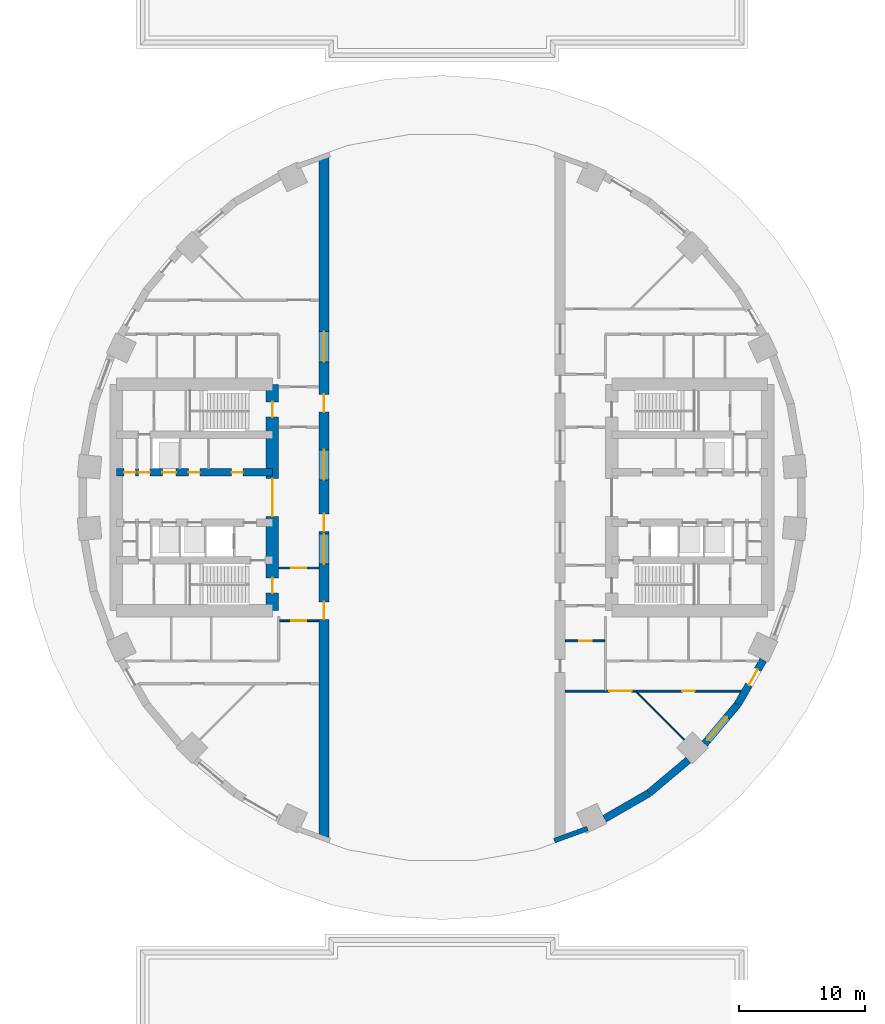
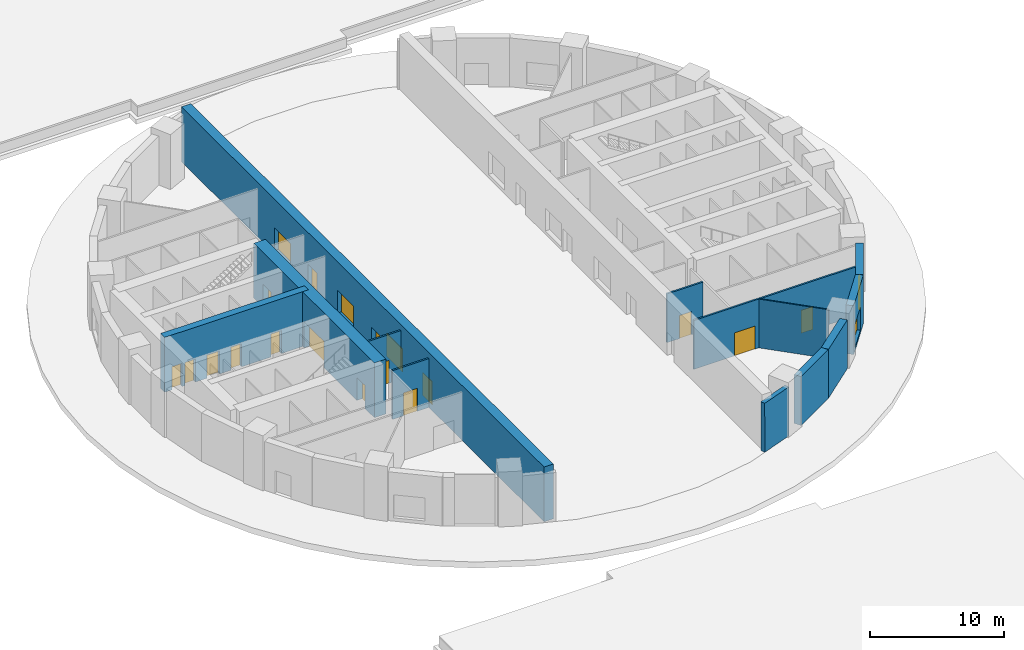
# One storey, part 3 of 10: 17 doors, 13 walls, 4 windows, 21 openings.
"""IFC4 building model written with IfcOpenShell, lengths in metres."""

from ifc_helpers import new_model, si_unit, direction, frame, frame_2d, origin, place, context, subcontext, project, spatial, polyline, rectangle, outline, extrude, material, layer, layer_set, type_object, element, fill, save


model = new_model("IFC4")

# Units and contexts
model_context = context("Model", 3, precision=1e-05, world=origin(), true_north=direction((0.0, 1.0)))
body_context = subcontext(model_context, "Body", "Model", "MODEL_VIEW")
ifc_project = project(units=[si_unit("LENGTHUNIT", "METRE"), si_unit("AREAUNIT", "SQUARE_METRE"), si_unit("VOLUMEUNIT", "CUBIC_METRE"), si_unit("PLANEANGLEUNIT", "RADIAN"), si_unit("MASSUNIT", "GRAM", prefix="KILO")], contexts=[model_context])

# Site, building, storey
site_placement = place(None, origin())
site = spatial("IfcSite", under=ifc_project, at=site_placement, CompositionType="ELEMENT")
building_placement = place(site_placement, origin())
building = spatial("IfcBuilding", under=site, at=building_placement, Name="Saqina Gate Tower", CompositionType="ELEMENT")
storey_placement = place(building_placement, origin())
storey = spatial("IfcBuildingStorey", under=building, at=storey_placement, Name="L00", CompositionType="ELEMENT", Elevation=0.0)

# Walls
ifc_material_1 = material(Name="Glazed ceramic tile", Category="ceramic")
ifc_layer_1 = layer(ifc_material_1, 0.3798828125)
ifc_layer_set_1 = layer_set([ifc_layer_1], Name="FW-ARCH")
wall_type_1 = type_object("IfcWallType", Name="FW-ARCH", PredefinedType="SOLIDWALL", material=ifc_layer_set_1)
wall_1_placement = place(storey_placement, frame((11.640625, -26.5068359375, 0.0), z_axis=(0.342042318612, -0.939682427765, 0.001996804339), x_axis=(-0.939684301135, -0.342043000515, 0.0)))
element("IfcWall", 1, at=wall_1_placement, inside=storey, type_object=wall_type_1, Name="Arch frame wall L00 facet 29", PredefinedType="SOLIDWALL", context=body_context, shape_type="SweptSolid", body=[
    extrude(outline(polyline([(0.0, 0.0), (2.8101193100826816, 2.168404344971009e-19), (2.8102624824208777, -4.449960043385524), (0.0001431723381958646, -4.449960043385524), (0.0, 0.0)])), origin(), (0.0, 0.0, -1.0), 0.3798828125),
])
ifc_material_2 = material(Name="Brick masonry (red)", Category="masonry")
ifc_layer_2 = layer(ifc_material_2, 0.60009765625)
ifc_layer_set_2 = layer_set([ifc_layer_2], Name="FW-BRICK-RED")
wall_type_2 = type_object("IfcWallType", Name="FW-BRICK-RED", PredefinedType="SOLIDWALL", material=ifc_layer_set_2)
wall_2_placement = place(storey_placement, frame((12.933837890625, -25.545166015625, 0.0), z_axis=(0.0, 0.0, 1.0), x_axis=(0.866011732453, 0.500023678693, 0.0)))
element("IfcWall", 2, at=wall_2_placement, inside=storey, type_object=wall_type_2, Name="Facade wall L00 facet 30", PredefinedType="SOLIDWALL", context=body_context, shape_type="SweptSolid", body=[
    extrude(rectangle(XDim=4.069091796875, YDim=0.60009765625, at=frame_2d((2.03466796875, 0.0))), origin(), (0.0, 0.0, 1.0), 4.449951171875),
])
wall_3_placement = place(storey_placement, frame((16.4638671875, -23.50634765625, 0.0), z_axis=(0.0, 0.0, 1.0), x_axis=(0.766033337734, 0.642800844336, 0.0)))
element("IfcWall", 3, at=wall_3_placement, inside=storey, type_object=wall_type_2, Name="Facade wall L00 facet 31", PredefinedType="SOLIDWALL", context=body_context, shape_type="SweptSolid", body=[
    extrude(rectangle(XDim=4.0693359375, YDim=0.60009765625, at=frame_2d((2.03466796875, 0.0))), origin(), (0.0, 0.0, 1.0), 4.449951171875),
])

# Wall, opening, window
wall_4_placement = place(storey_placement, frame((20.890625, -19.5810546875, 0.0), z_axis=(0.0, 0.0, 1.0), x_axis=(0.642800844336, 0.766033337734, 0.0)))
wall_4 = element("IfcWall", 4, at=wall_4_placement, inside=storey, type_object=wall_type_2, Name="Facade wall L00 facet 32", PredefinedType="SOLIDWALL", context=body_context, shape_type="SweptSolid", body=[
    extrude(rectangle(XDim=4.0693359375, YDim=0.60009765625, at=frame_2d((2.03466796875, 0.0))), origin(), (0.0, 0.0, 1.0), 4.449951171875),
])
opening_1_placement = place(wall_4_placement, frame((0.37158203125, 0.0, 0.300048828125)))
opening_1 = element("IfcOpeningElement", 5, at=opening_1_placement, cuts=wall_4, Name="Opening L00-W57", PredefinedType="OPENING", context=body_context, shape_type="SweptSolid", body=[
    extrude(rectangle(XDim=2.39990234375, YDim=2.10009765625, at=frame_2d((1.199951171875, 1.050048828125))), frame((0.0, 0.31201171875, 0.0), z_axis=(0.0, -1.0, 0.0), x_axis=(1.0, 0.0, 0.0)), (0.0, 0.0, 1.0), 0.6240234375),
])
ifc_material_3 = material(Name="Double glazed unit in aluminium frame", Category="aluminium")
window_type = type_object("IfcWindowType", Name="SHOPFRONT WINDOW 2400", PartitioningType="SINGLE_PANEL", PredefinedType="WINDOW", material=ifc_material_3)
window_1_placement = place(opening_1_placement, origin())
window_1 = element("IfcWindow", 6, at=window_1_placement, inside=storey, type_object=window_type, Name="Shopfront window", OverallHeight=2.10009765625, OverallWidth=2.39990234375, PartitioningType="SINGLE_PANEL", PredefinedType="WINDOW", context=body_context, shape_type="SweptSolid", body=[
    extrude(rectangle(XDim=2.39990234375, YDim=2.10009765625, at=frame_2d((1.199951171875, 1.050048828125))), frame((0.0, 0.030029296875, 0.0), z_axis=(0.0, -1.0, 0.0), x_axis=(1.0, 0.0, 0.0)), (0.0, 0.0, 1.0), 0.06005859375),
])
fill(opening_1, window_1)

# Wall, opening, door
wall_5_placement = place(storey_placement, frame((23.510498046875, -16.457763671875, 0.0), z_axis=(0.0, 0.0, 1.0), x_axis=(0.500023678693, 0.866011732453, 0.0)))
wall_5 = element("IfcWall", 7, at=wall_5_placement, inside=storey, type_object=wall_type_2, Name="Facade wall L00 facet 33", PredefinedType="SOLIDWALL", context=body_context, shape_type="SweptSolid", body=[
    extrude(rectangle(XDim=4.069091796875, YDim=0.60009765625, at=frame_2d((2.03466796875, 0.0))), origin(), (0.0, 0.0, 1.0), 4.449951171875),
])
opening_2_placement = place(wall_5_placement, frame((1.797607421875, 0.0, 0.0)))
opening_2 = element("IfcOpeningElement", 8, at=opening_2_placement, cuts=wall_5, Name="Opening L00-D41", PredefinedType="OPENING", context=body_context, shape_type="SweptSolid", body=[
    extrude(rectangle(XDim=1.39990234375, YDim=2.10009765625, at=frame_2d((0.699951171875, 1.050048828125))), frame((0.0, 0.31201171875, 0.0), z_axis=(0.0, -1.0, 0.0), x_axis=(1.0, 0.0, 0.0)), (0.0, 0.0, 1.0), 0.6240234375),
])
ifc_material_4 = material(Name="Steel door leaf with glazed vision panel", Category="steel")
door_type_1 = type_object("IfcDoorType", Name="EXIT DOOR 1400 STEEL", OperationType="SINGLE_SWING_LEFT", PredefinedType="DOOR", material=ifc_material_4)
door_1_placement = place(opening_2_placement, frame((1.39990234375, 0.0, 0.0), z_axis=(0.0, 0.0, 1.0), x_axis=(-1.0, 0.0, 0.0)))
door_1 = element("IfcDoor", 9, at=door_1_placement, inside=storey, type_object=door_type_1, Name="Pedestrian exit 8", OperationType="SINGLE_SWING_LEFT", OverallHeight=2.10009765625, OverallWidth=1.39990234375, PredefinedType="DOOR", context=body_context, shape_type="SweptSolid", body=[
    extrude(rectangle(XDim=1.39990234375, YDim=2.10009765625, at=frame_2d((0.699951171875, 1.050048828125))), frame((0.0, 0.02490234375, 0.0), z_axis=(0.0, -1.0, 0.0), x_axis=(1.0, 0.0, 0.0)), (0.0, 0.0, 1.0), 0.050048828125),
])
fill(opening_2, door_1)

# Wall
ifc_material_5 = material(Name="Gypsum board on steel studs, 100 mm", Category="steel")
ifc_layer_3 = layer(ifc_material_5, 0.10009765625)
ifc_layer_set_3 = layer_set([ifc_layer_3], Name="SPECIAL PARTITION 100")
wall_type_3 = type_object("IfcWallType", Name="SPECIAL PARTITION 100", PredefinedType="PARTITIONING", material=ifc_layer_set_3)
wall_6_placement = place(storey_placement, frame((15.452880859375, -15.452880859375, 0.0), z_axis=(0.0, 0.0, 1.0), x_axis=(0.707220086868, -0.706993457346, 0.0)))
element("IfcWall", 10, at=wall_6_placement, inside=storey, type_object=wall_type_3, Name="PARTITION 002", PredefinedType="PARTITIONING", context=body_context, shape_type="SweptSolid", body=[
    extrude(rectangle(XDim=5.38623046875, YDim=0.10009765625, at=frame_2d((2.693115234375, 0.0))), origin(), (0.0, 0.0, 1.0), 4.449951171875),
])

# Wall, opening, door
ifc_material_6 = material(Name="Gypsum board on steel studs, 150 mm, fire rated", Category="steel")
ifc_layer_4 = layer(ifc_material_6, 0.14990234375)
ifc_layer_set_4 = layer_set([ifc_layer_4], Name="SPECIAL PARTITION EI 30 150")
wall_type_4 = type_object("IfcWallType", Name="SPECIAL PARTITION EI 30 150", PredefinedType="PARTITIONING", material=ifc_layer_set_4)
wall_7_placement = place(storey_placement, frame((-12.925048828125, -9.800048828125, 0.0), z_axis=(0.0, 0.0, 1.0), x_axis=(1.0, 0.0, 0.0)))
wall_7 = element("IfcWall", 11, at=wall_7_placement, inside=storey, type_object=wall_type_4, Name="PARTITION 008", PredefinedType="PARTITIONING", context=body_context, shape_type="SweptSolid", body=[
    extrude(rectangle(XDim=3.125, YDim=0.14990234375, at=frame_2d((1.5625, 0.0))), origin(), (0.0, 0.0, 1.0), 4.449951171875),
])
opening_3_placement = place(wall_7_placement, frame((0.925048828125, 0.0, 0.0)))
opening_3 = element("IfcOpeningElement", 12, at=opening_3_placement, cuts=wall_7, Name="Opening L00-D22", PredefinedType="OPENING", context=body_context, shape_type="SweptSolid", body=[
    extrude(rectangle(XDim=1.199951171875, YDim=2.10009765625, at=frame_2d((0.60009765625, 1.050048828125))), frame((0.0, 0.0869140625, 0.0), z_axis=(0.0, -1.0, 0.0), x_axis=(1.0, 0.0, 0.0)), (0.0, 0.0, 1.0), 0.173828125),
])
ifc_material_7 = material(Name="Steel-framed fire door leaf, EI 30", Category="steel")
door_type_2 = type_object("IfcDoorType", Name="SPECIAL DOOR 1200 FIRE EI 30", OperationType="SINGLE_SWING_LEFT", PredefinedType="DOOR", material=ifc_material_7)
door_2_placement = place(opening_3_placement, frame((1.199951171875, 0.0, 0.0), z_axis=(0.0, 0.0, 1.0), x_axis=(-1.0, 0.0, 0.0)))
door_2 = element("IfcDoor", 13, at=door_2_placement, inside=storey, type_object=door_type_2, Name="DOOR L00-D22", OperationType="SINGLE_SWING_RIGHT", OverallHeight=2.10009765625, OverallWidth=1.199951171875, PredefinedType="DOOR", context=body_context, shape_type="SweptSolid", body=[
    extrude(rectangle(XDim=1.199951171875, YDim=2.10009765625, at=frame_2d((0.60009765625, 1.050048828125))), frame((0.0, 0.02490234375, 0.0), z_axis=(0.0, -1.0, 0.0), x_axis=(1.0, 0.0, 0.0)), (0.0, 0.0, 1.0), 0.050048828125),
])
fill(opening_3, door_2)

wall_8_placement = place(storey_placement, frame((-13.0, -5.60009765625, 0.0), z_axis=(0.0, 0.0, 1.0), x_axis=(1.0, 0.0, 0.0)))
wall_8 = element("IfcWall", 14, at=wall_8_placement, inside=storey, type_object=wall_type_4, Name="PARTITION 010", PredefinedType="PARTITIONING", context=body_context, shape_type="SweptSolid", body=[
    extrude(rectangle(XDim=3.199951171875, YDim=0.14990234375, at=frame_2d((1.60009765625, 0.0))), origin(), (0.0, 0.0, 1.0), 4.449951171875),
])
opening_4_placement = place(wall_8_placement, frame((1.0, 0.0, 0.0)))
opening_4 = element("IfcOpeningElement", 15, at=opening_4_placement, cuts=wall_8, Name="Opening L00-D17", PredefinedType="OPENING", context=body_context, shape_type="SweptSolid", body=[
    extrude(rectangle(XDim=1.199951171875, YDim=2.10009765625, at=frame_2d((0.60009765625, 1.050048828125))), frame((0.0, 0.0869140625, 0.0), z_axis=(0.0, -1.0, 0.0), x_axis=(1.0, 0.0, 0.0)), (0.0, 0.0, 1.0), 0.173828125),
])
door_3_placement = place(opening_4_placement, origin())
door_3 = element("IfcDoor", 16, at=door_3_placement, inside=storey, type_object=door_type_2, Name="DOOR L00-D17", OperationType="SINGLE_SWING_RIGHT", OverallHeight=2.10009765625, OverallWidth=1.199951171875, PredefinedType="DOOR", context=body_context, shape_type="SweptSolid", body=[
    extrude(rectangle(XDim=1.199951171875, YDim=2.10009765625, at=frame_2d((0.60009765625, 1.050048828125))), frame((0.0, 0.02490234375, 0.0), z_axis=(0.0, -1.0, 0.0), x_axis=(1.0, 0.0, 0.0)), (0.0, 0.0, 1.0), 0.050048828125),
])
fill(opening_4, door_3)

# Wall, openings, doors
ifc_material_8 = material(Name="Masonry block and plaster, 150 mm, fire rated", Category="masonry")
ifc_layer_5 = layer(ifc_material_8, 0.14990234375)
ifc_layer_set_5 = layer_set([ifc_layer_5], Name="SPECIAL PARTITION EI 60 150")
wall_type_5 = type_object("IfcWallType", Name="SPECIAL PARTITION EI 60 150", PredefinedType="PARTITIONING", material=ifc_layer_set_5)
wall_9_placement = place(storey_placement, frame((9.800048828125, -15.39990234375, 0.0), z_axis=(0.0, 0.0, 1.0), x_axis=(1.0, 0.0, 0.0)))
wall_9 = element("IfcWall", 17, at=wall_9_placement, inside=storey, type_object=wall_type_5, Name="PARTITION 003", PredefinedType="PARTITIONING", context=body_context, shape_type="SweptSolid", body=[
    extrude(rectangle(XDim=13.974853515625, YDim=0.14990234375, at=frame_2d((6.9873046875, 0.0))), origin(), (0.0, 0.0, 1.0), 4.449951171875),
])
opening_5_placement = place(wall_9_placement, frame((3.498046875, 0.0, 0.0)))
opening_5 = element("IfcOpeningElement", 18, at=opening_5_placement, cuts=wall_9, Name="Opening L00-D24", PredefinedType="OPENING", context=body_context, shape_type="SweptSolid", body=[
    extrude(rectangle(XDim=1.800048828125, YDim=2.10009765625, at=frame_2d((0.89990234375, 1.050048828125))), frame((0.0, 0.0869140625, 0.0), z_axis=(0.0, -1.0, 0.0), x_axis=(1.0, 0.0, 0.0)), (0.0, 0.0, 1.0), 0.173828125),
])
opening_6_placement = place(wall_9_placement, frame((9.28857421875, 0.0, 0.0)))
opening_6 = element("IfcOpeningElement", 19, at=opening_6_placement, cuts=wall_9, Name="Opening L00-D27", PredefinedType="OPENING", context=body_context, shape_type="SweptSolid", body=[
    extrude(rectangle(XDim=1.0, YDim=2.10009765625, at=frame_2d((0.5, 1.050048828125))), frame((0.0, 0.0869140625, 0.0), z_axis=(0.0, -1.0, 0.0), x_axis=(1.0, 0.0, 0.0)), (0.0, 0.0, 1.0), 0.173828125),
])
ifc_material_9 = material(Name="Steel-framed fire door leaf, EI 60", Category="steel")
door_type_3 = type_object("IfcDoorType", Name="SPECIAL DOOR 1000 FIRE EI 60", OperationType="SINGLE_SWING_LEFT", PredefinedType="DOOR", material=ifc_material_9)
door_4_placement = place(opening_6_placement, frame((1.0, 0.0, 0.0), z_axis=(0.0, 0.0, 1.0), x_axis=(-1.0, 0.0, 0.0)))
door_4 = element("IfcDoor", 20, at=door_4_placement, inside=storey, type_object=door_type_3, Name="DOOR L00-D27", OperationType="SINGLE_SWING_LEFT", OverallHeight=2.10009765625, OverallWidth=1.0, PredefinedType="DOOR", context=body_context, shape_type="SweptSolid", body=[
    extrude(rectangle(XDim=1.0, YDim=2.10009765625, at=frame_2d((0.5, 1.050048828125))), frame((0.0, 0.02490234375, 0.0), z_axis=(0.0, -1.0, 0.0), x_axis=(1.0, 0.0, 0.0)), (0.0, 0.0, 1.0), 0.050048828125),
])
fill(opening_6, door_4)
ifc_material_10 = material(Name="Steel-framed fire door leaf, EI 60", Category="steel")
door_type_4 = type_object("IfcDoorType", Name="SPECIAL DOUBLE DOOR 1800 FIRE EI 60", OperationType="DOUBLE_DOOR_SINGLE_SWING", PredefinedType="DOOR", material=ifc_material_10)
door_5_placement = place(opening_5_placement, origin())
door_5 = element("IfcDoor", 21, at=door_5_placement, inside=storey, type_object=door_type_4, Name="DOOR L00-D24", OperationType="DOUBLE_DOOR_SINGLE_SWING", OverallHeight=2.10009765625, OverallWidth=1.800048828125, PredefinedType="DOOR", context=body_context, shape_type="SweptSolid", body=[
    extrude(rectangle(XDim=1.800048828125, YDim=2.10009765625, at=frame_2d((0.89990234375, 1.050048828125))), frame((0.0, 0.02490234375, 0.0), z_axis=(0.0, -1.0, 0.0), x_axis=(1.0, 0.0, 0.0)), (0.0, 0.0, 1.0), 0.050048828125),
])
fill(opening_5, door_5)

# Wall, opening, door
wall_10_placement = place(storey_placement, frame((9.800048828125, -11.39990234375, 0.0), z_axis=(0.0, 0.0, 1.0), x_axis=(1.0, 0.0, 0.0)))
wall_10 = element("IfcWall", 22, at=wall_10_placement, inside=storey, type_object=wall_type_5, Name="PARTITION 007", PredefinedType="PARTITIONING", context=body_context, shape_type="SweptSolid", body=[
    extrude(rectangle(XDim=3.125, YDim=0.14990234375, at=frame_2d((1.5625, 0.0))), origin(), (0.0, 0.0, 1.0), 4.449951171875),
])
opening_7_placement = place(wall_10_placement, frame((1.10009765625, 0.0, 0.0)))
opening_7 = element("IfcOpeningElement", 23, at=opening_7_placement, cuts=wall_10, Name="Opening L00-D25", PredefinedType="OPENING", context=body_context, shape_type="SweptSolid", body=[
    extrude(rectangle(XDim=1.0, YDim=2.10009765625, at=frame_2d((0.5, 1.050048828125))), frame((0.0, 0.0869140625, 0.0), z_axis=(0.0, -1.0, 0.0), x_axis=(1.0, 0.0, 0.0)), (0.0, 0.0, 1.0), 0.173828125),
])
door_6_placement = place(opening_7_placement, frame((1.0, 0.0, 0.0), z_axis=(0.0, 0.0, 1.0), x_axis=(-1.0, 0.0, 0.0)))
door_6 = element("IfcDoor", 24, at=door_6_placement, inside=storey, type_object=door_type_3, Name="DOOR L00-D25", OperationType="SINGLE_SWING_LEFT", OverallHeight=2.10009765625, OverallWidth=1.0, PredefinedType="DOOR", context=body_context, shape_type="SweptSolid", body=[
    extrude(rectangle(XDim=1.0, YDim=2.10009765625, at=frame_2d((0.5, 1.050048828125))), frame((0.0, 0.02490234375, 0.0), z_axis=(0.0, -1.0, 0.0), x_axis=(1.0, 0.0, 0.0)), (0.0, 0.0, 1.0), 0.050048828125),
])
fill(opening_7, door_6)

# Wall, openings, doors
ifc_material_11 = material(Name="Concrete C70/85", Category="concrete")
ifc_layer_6 = layer(ifc_material_11, 0.60009765625)
ifc_layer_set_6 = layer_set([ifc_layer_6], Name="Concrete C70/85")
wall_type_6 = type_object("IfcWallType", Name="STR-CORE WALL-P-I", PredefinedType="SHEAR", material=ifc_layer_set_6)
wall_11_placement = place(storey_placement, frame((-13.5, 2.0, 0.0), z_axis=(0.0, 0.0, 1.0), x_axis=(-1.0, 0.0, 0.0)))
wall_11 = element("IfcWall", 25, at=wall_11_placement, inside=storey, type_object=wall_type_6, Name="CORE WALL L00 W-L1", PredefinedType="SHEAR", context=body_context, shape_type="SweptSolid", body=[
    extrude(rectangle(XDim=12.39990234375, YDim=0.60009765625, at=frame_2d((6.199951171875, 0.0))), origin(), (0.0, 0.0, 1.0), 5.0),
])
opening_8_placement = place(wall_11_placement, frame((7.64990234375, 0.0, 0.0)))
opening_8 = element("IfcOpeningElement", 26, at=opening_8_placement, cuts=wall_11, Name="Opening L00-LD5", PredefinedType="OPENING", context=body_context, shape_type="SweptSolid", body=[
    extrude(rectangle(XDim=1.10009765625, YDim=2.10009765625, at=frame_2d((0.550048828125, 1.050048828125))), frame((0.0, 0.31201171875, 0.0), z_axis=(0.0, -1.0, 0.0), x_axis=(1.0, 0.0, 0.0)), (0.0, 0.0, 1.0), 0.6240234375),
])
opening_9_placement = place(wall_11_placement, frame((2.34130859375, 0.0, 0.0)))
opening_9 = element("IfcOpeningElement", 27, at=opening_9_placement, cuts=wall_11, Name="Opening L00-D106", PredefinedType="OPENING", context=body_context, shape_type="SweptSolid", body=[
    extrude(rectangle(XDim=0.89990234375, YDim=2.10009765625, at=frame_2d((0.449951171875, 1.050048828125))), frame((0.0, 0.31201171875, 0.0), z_axis=(0.0, -1.0, 0.0), x_axis=(1.0, 0.0, 0.0)), (0.0, 0.0, 1.0), 0.6240234375),
])
opening_10_placement = place(wall_11_placement, frame((5.761474609375, 0.0, 0.0)))
opening_10 = element("IfcOpeningElement", 28, at=opening_10_placement, cuts=wall_11, Name="Opening L00-D107", PredefinedType="OPENING", context=body_context, shape_type="SweptSolid", body=[
    extrude(rectangle(XDim=0.89990234375, YDim=2.10009765625, at=frame_2d((0.449951171875, 1.050048828125))), frame((0.0, 0.31201171875, 0.0), z_axis=(0.0, -1.0, 0.0), x_axis=(1.0, 0.0, 0.0)), (0.0, 0.0, 1.0), 0.6240234375),
])
opening_11_placement = place(wall_11_placement, frame((9.739990234375, 0.0, 0.0)))
opening_11 = element("IfcOpeningElement", 29, at=opening_11_placement, cuts=wall_11, Name="Opening L00-D108", PredefinedType="OPENING", context=body_context, shape_type="SweptSolid", body=[
    extrude(rectangle(XDim=0.89990234375, YDim=2.10009765625, at=frame_2d((0.449951171875, 1.050048828125))), frame((0.0, 0.31201171875, 0.0), z_axis=(0.0, -1.0, 0.0), x_axis=(1.0, 0.0, 0.0)), (0.0, 0.0, 1.0), 0.6240234375),
])
opening_12_placement = place(wall_11_placement, frame((10.8798828125, 0.0, 0.0)))
opening_12 = element("IfcOpeningElement", 30, at=opening_12_placement, cuts=wall_11, Name="Opening L00-D109", PredefinedType="OPENING", context=body_context, shape_type="SweptSolid", body=[
    extrude(rectangle(XDim=0.89990234375, YDim=2.10009765625, at=frame_2d((0.449951171875, 1.050048828125))), frame((0.0, 0.31201171875, 0.0), z_axis=(0.0, -1.0, 0.0), x_axis=(1.0, 0.0, 0.0)), (0.0, 0.0, 1.0), 0.6240234375),
])
ifc_material_12 = material(Name="Stainless steel", Category="steel")
door_type_5 = type_object("IfcDoorType", Name="LANDING DOOR", OperationType="DOUBLE_DOOR_SLIDING", PredefinedType="DOOR", material=ifc_material_12)
door_7_placement = place(opening_8_placement, origin())
door_7 = element("IfcDoor", 31, at=door_7_placement, inside=storey, type_object=door_type_5, Name="LANDING DOOR LR4", OperationType="DOUBLE_DOOR_SLIDING", OverallHeight=2.10009765625, OverallWidth=1.10009765625, PredefinedType="DOOR", context=body_context, shape_type="SweptSolid", body=[
    extrude(rectangle(XDim=1.10009765625, YDim=2.10009765625, at=frame_2d((0.550048828125, 1.050048828125))), frame((0.0, 0.02490234375, 0.0), z_axis=(0.0, -1.0, 0.0), x_axis=(1.0, 0.0, 0.0)), (0.0, 0.0, 1.0), 0.050048828125),
])
fill(opening_8, door_7)
ifc_material_13 = material(Name="Steel-framed fire door leaf, EI 60", Category="steel")
door_type_6 = type_object("IfcDoorType", Name="SERVICE ROOM DOOR 900", OperationType="SINGLE_SWING_LEFT", PredefinedType="DOOR", material=ifc_material_13)
door_8_placement = place(opening_9_placement, frame((0.89990234375, 0.0, 0.0), z_axis=(0.0, 0.0, 1.0), x_axis=(-1.0, 0.0, 0.0)))
door_8 = element("IfcDoor", 32, at=door_8_placement, inside=storey, type_object=door_type_6, Name="L00-CD-W17", OperationType="SINGLE_SWING_RIGHT", OverallHeight=2.10009765625, OverallWidth=0.89990234375, PredefinedType="DOOR", context=body_context, shape_type="SweptSolid", body=[
    extrude(rectangle(XDim=0.89990234375, YDim=2.10009765625, at=frame_2d((0.449951171875, 1.050048828125))), frame((0.0, 0.02490234375, 0.0), z_axis=(0.0, -1.0, 0.0), x_axis=(1.0, 0.0, 0.0)), (0.0, 0.0, 1.0), 0.050048828125),
])
fill(opening_9, door_8)
door_9_placement = place(opening_10_placement, frame((0.89990234375, 0.0, 0.0), z_axis=(0.0, 0.0, 1.0), x_axis=(-1.0, 0.0, 0.0)))
door_9 = element("IfcDoor", 33, at=door_9_placement, inside=storey, type_object=door_type_6, Name="L00-CD-W18", OperationType="SINGLE_SWING_LEFT", OverallHeight=2.10009765625, OverallWidth=0.89990234375, PredefinedType="DOOR", context=body_context, shape_type="SweptSolid", body=[
    extrude(rectangle(XDim=0.89990234375, YDim=2.10009765625, at=frame_2d((0.449951171875, 1.050048828125))), frame((0.0, 0.02490234375, 0.0), z_axis=(0.0, -1.0, 0.0), x_axis=(1.0, 0.0, 0.0)), (0.0, 0.0, 1.0), 0.050048828125),
])
fill(opening_10, door_9)
door_10_placement = place(opening_11_placement, frame((0.89990234375, 0.0, 0.0), z_axis=(0.0, 0.0, 1.0), x_axis=(-1.0, 0.0, 0.0)))
door_10 = element("IfcDoor", 34, at=door_10_placement, inside=storey, type_object=door_type_6, Name="L00-CD-W19", OperationType="SINGLE_SWING_RIGHT", OverallHeight=2.10009765625, OverallWidth=0.89990234375, PredefinedType="DOOR", context=body_context, shape_type="SweptSolid", body=[
    extrude(rectangle(XDim=0.89990234375, YDim=2.10009765625, at=frame_2d((0.449951171875, 1.050048828125))), frame((0.0, 0.02490234375, 0.0), z_axis=(0.0, -1.0, 0.0), x_axis=(1.0, 0.0, 0.0)), (0.0, 0.0, 1.0), 0.050048828125),
])
fill(opening_11, door_10)
door_11_placement = place(opening_12_placement, frame((0.89990234375, 0.0, 0.0), z_axis=(0.0, 0.0, 1.0), x_axis=(-1.0, 0.0, 0.0)))
door_11 = element("IfcDoor", 35, at=door_11_placement, inside=storey, type_object=door_type_6, Name="L00-CD-W20", OperationType="SINGLE_SWING_LEFT", OverallHeight=2.10009765625, OverallWidth=0.89990234375, PredefinedType="DOOR", context=body_context, shape_type="SweptSolid", body=[
    extrude(rectangle(XDim=0.89990234375, YDim=2.10009765625, at=frame_2d((0.449951171875, 1.050048828125))), frame((0.0, 0.02490234375, 0.0), z_axis=(0.0, -1.0, 0.0), x_axis=(1.0, 0.0, 0.0)), (0.0, 0.0, 1.0), 0.050048828125),
])
fill(opening_12, door_11)

ifc_material_14 = material(Name="Concrete C70/85", Category="concrete")
ifc_layer_7 = layer(ifc_material_14, 1.0)
ifc_layer_set_7 = layer_set([ifc_layer_7], Name="Concrete C70/85")
wall_type_7 = type_object("IfcWallType", Name="STR-CORE WALL-P-O", PredefinedType="SHEAR", material=ifc_layer_set_7)
wall_12_placement = place(storey_placement, frame((-13.5, -9.0, 0.0), z_axis=(0.0, 0.0, 1.0), x_axis=(0.0, 1.0, 0.0)))
wall_12 = element("IfcWall", 36, at=wall_12_placement, inside=storey, type_object=wall_type_7, Name="CORE WALL L00 W-W1", PredefinedType="SHEAR", context=body_context, shape_type="SweptSolid", body=[
    extrude(rectangle(XDim=18.0, YDim=1.0, at=frame_2d((9.0, 0.0))), origin(), (0.0, 0.0, 1.0), 5.0),
])
opening_13_placement = place(wall_12_placement, frame((15.39990234375, 0.0, 0.0)))
opening_13 = element("IfcOpeningElement", 37, at=opening_13_placement, cuts=wall_12, Name="Opening L00-D119", PredefinedType="OPENING", context=body_context, shape_type="SweptSolid", body=[
    extrude(rectangle(XDim=1.199951171875, YDim=2.10009765625, at=frame_2d((0.60009765625, 1.050048828125))), frame((0.0, 0.511962890625, 0.0), z_axis=(0.0, -1.0, 0.0), x_axis=(1.0, 0.0, 0.0)), (0.0, 0.0, 1.0), 1.02392578125),
])
opening_14_placement = place(wall_12_placement, frame((1.39990234375, 0.0, 0.0)))
opening_14 = element("IfcOpeningElement", 38, at=opening_14_placement, cuts=wall_12, Name="Opening L00-D120", PredefinedType="OPENING", context=body_context, shape_type="SweptSolid", body=[
    extrude(rectangle(XDim=1.199951171875, YDim=2.10009765625, at=frame_2d((0.60009765625, 1.050048828125))), frame((0.0, 0.511962890625, 0.0), z_axis=(0.0, -1.0, 0.0), x_axis=(1.0, 0.0, 0.0)), (0.0, 0.0, 1.0), 1.02392578125),
])
opening_15_placement = place(wall_12_placement, frame((7.5, 0.0, 0.0)))
opening_15 = element("IfcOpeningElement", 39, at=opening_15_placement, cuts=wall_12, Name="Opening L00-D121", PredefinedType="OPENING", context=body_context, shape_type="SweptSolid", body=[
    extrude(rectangle(XDim=3.0, YDim=2.39990234375, at=frame_2d((1.5, 1.199951171875))), frame((0.0, 0.511962890625, 0.0), z_axis=(0.0, -1.0, 0.0), x_axis=(1.0, 0.0, 0.0)), (0.0, 0.0, 1.0), 1.02392578125),
])
ifc_material_15 = material(Name="Steel", Category="steel")
door_type_7 = type_object("IfcDoorType", Name="FIRE DOOR EI 60", OperationType="SINGLE_SWING_LEFT", PredefinedType="DOOR", material=ifc_material_15)
door_12_placement = place(opening_13_placement, origin())
door_12 = element("IfcDoor", 40, at=door_12_placement, inside=storey, type_object=door_type_7, Name="L00-CD-W30", OperationType="SINGLE_SWING_RIGHT", OverallHeight=2.10009765625, OverallWidth=1.199951171875, PredefinedType="DOOR", context=body_context, shape_type="SweptSolid", body=[
    extrude(rectangle(XDim=1.199951171875, YDim=2.10009765625, at=frame_2d((0.60009765625, 1.050048828125))), frame((0.0, 0.02490234375, 0.0), z_axis=(0.0, -1.0, 0.0), x_axis=(1.0, 0.0, 0.0)), (0.0, 0.0, 1.0), 0.050048828125),
])
fill(opening_13, door_12)
door_13_placement = place(opening_14_placement, origin())
door_13 = element("IfcDoor", 41, at=door_13_placement, inside=storey, type_object=door_type_7, Name="L00-CD-W31", OperationType="SINGLE_SWING_LEFT", OverallHeight=2.10009765625, OverallWidth=1.199951171875, PredefinedType="DOOR", context=body_context, shape_type="SweptSolid", body=[
    extrude(rectangle(XDim=1.199951171875, YDim=2.10009765625, at=frame_2d((0.60009765625, 1.050048828125))), frame((0.0, 0.02490234375, 0.0), z_axis=(0.0, -1.0, 0.0), x_axis=(1.0, 0.0, 0.0)), (0.0, 0.0, 1.0), 0.050048828125),
])
fill(opening_14, door_13)
ifc_material_16 = material(Name="Steel and fire-resisting glass", Category="steel")
door_type_8 = type_object("IfcDoorType", Name="LOBBY SCREEN DOOR", OperationType="DOUBLE_DOOR_SLIDING", PredefinedType="DOOR", material=ifc_material_16)
door_14_placement = place(opening_15_placement, origin())
door_14 = element("IfcDoor", 42, at=door_14_placement, inside=storey, type_object=door_type_8, Name="L00-CD-W32", OperationType="DOUBLE_DOOR_SLIDING", OverallHeight=2.39990234375, OverallWidth=3.0, PredefinedType="DOOR", context=body_context, shape_type="SweptSolid", body=[
    extrude(rectangle(XDim=3.0, YDim=2.39990234375, at=frame_2d((1.5, 1.199951171875))), frame((0.0, 0.02490234375, 0.0), z_axis=(0.0, -1.0, 0.0), x_axis=(1.0, 0.0, 0.0)), (0.0, 0.0, 1.0), 0.050048828125),
])
fill(opening_15, door_14)

# Wall, openings, doors, windows
ifc_material_17 = material(Name="Concrete C70/85", Category="concrete")
ifc_layer_8 = layer(ifc_material_17, 0.800048828125)
ifc_layer_set_8 = layer_set([ifc_layer_8], Name="Concrete C70/85")
wall_type_8 = type_object("IfcWallType", Name="STR-PIER-PASSAGE", PredefinedType="SHEAR", material=ifc_layer_set_8)
wall_13_placement = place(storey_placement, frame((-9.39990234375, -27.076904296875, 0.0), z_axis=(0.0, 0.0, 1.0), x_axis=(0.0, 1.0, 0.0)))
wall_13 = element("IfcWall", 43, at=wall_13_placement, inside=storey, type_object=wall_type_8, Name="L00-FLKW", PredefinedType="SHEAR", context=body_context, shape_type="SweptSolid", body=[
    extrude(rectangle(XDim=54.15380859375, YDim=0.800048828125, at=frame_2d((27.076904296875, 0.0))), origin(), (0.0, 0.0, 1.0), 5.0),
])
opening_16_placement = place(wall_13_placement, frame((17.376708984375, 0.0, 0.0)))
opening_16 = element("IfcOpeningElement", 44, at=opening_16_placement, cuts=wall_13, Name="Opening L00-D36", PredefinedType="OPENING", context=body_context, shape_type="SweptSolid", body=[
    extrude(rectangle(XDim=1.39990234375, YDim=2.10009765625, at=frame_2d((0.699951171875, 1.050048828125))), frame((0.0, 0.412109375, 0.0), z_axis=(0.0, -1.0, 0.0), x_axis=(1.0, 0.0, 0.0)), (0.0, 0.0, 1.0), 0.823974609375),
])
opening_17_placement = place(wall_13_placement, frame((21.77685546875, 0.0, 0.300048828125)))
opening_17 = element("IfcOpeningElement", 45, at=opening_17_placement, cuts=wall_13, Name="Opening L00-W53", PredefinedType="OPENING", context=body_context, shape_type="SweptSolid", body=[
    extrude(rectangle(XDim=2.39990234375, YDim=2.10009765625, at=frame_2d((1.199951171875, 1.050048828125))), frame((0.0, 0.412109375, 0.0), z_axis=(0.0, -1.0, 0.0), x_axis=(1.0, 0.0, 0.0)), (0.0, 0.0, 1.0), 0.823974609375),
])
opening_18_placement = place(wall_13_placement, frame((24.376708984375, 0.0, 0.0)))
opening_18 = element("IfcOpeningElement", 46, at=opening_18_placement, cuts=wall_13, Name="Opening L00-D37", PredefinedType="OPENING", context=body_context, shape_type="SweptSolid", body=[
    extrude(rectangle(XDim=1.39990234375, YDim=2.10009765625, at=frame_2d((0.699951171875, 1.050048828125))), frame((0.0, 0.412109375, 0.0), z_axis=(0.0, -1.0, 0.0), x_axis=(1.0, 0.0, 0.0)), (0.0, 0.0, 1.0), 0.823974609375),
])
opening_19_placement = place(wall_13_placement, frame((28.476806640625, 0.0, 0.300048828125)))
opening_19 = element("IfcOpeningElement", 47, at=opening_19_placement, cuts=wall_13, Name="Opening L00-W54", PredefinedType="OPENING", context=body_context, shape_type="SweptSolid", body=[
    extrude(rectangle(XDim=2.39990234375, YDim=2.10009765625, at=frame_2d((1.199951171875, 1.050048828125))), frame((0.0, 0.412109375, 0.0), z_axis=(0.0, -1.0, 0.0), x_axis=(1.0, 0.0, 0.0)), (0.0, 0.0, 1.0), 0.823974609375),
])
opening_20_placement = place(wall_13_placement, frame((33.876708984375, 0.0, 0.0)))
opening_20 = element("IfcOpeningElement", 48, at=opening_20_placement, cuts=wall_13, Name="Opening L00-D38", PredefinedType="OPENING", context=body_context, shape_type="SweptSolid", body=[
    extrude(rectangle(XDim=1.39990234375, YDim=2.10009765625, at=frame_2d((0.699951171875, 1.050048828125))), frame((0.0, 0.412109375, 0.0), z_axis=(0.0, -1.0, 0.0), x_axis=(1.0, 0.0, 0.0)), (0.0, 0.0, 1.0), 0.823974609375),
])
opening_21_placement = place(wall_13_placement, frame((37.876708984375, 0.0, 0.300048828125)))
opening_21 = element("IfcOpeningElement", 49, at=opening_21_placement, cuts=wall_13, Name="Opening L00-W55", PredefinedType="OPENING", context=body_context, shape_type="SweptSolid", body=[
    extrude(rectangle(XDim=2.39990234375, YDim=2.10009765625, at=frame_2d((1.199951171875, 1.050048828125))), frame((0.0, 0.412109375, 0.0), z_axis=(0.0, -1.0, 0.0), x_axis=(1.0, 0.0, 0.0)), (0.0, 0.0, 1.0), 0.823974609375),
])
door_15_placement = place(opening_16_placement, frame((1.39990234375, 0.0, 0.0), z_axis=(0.0, 0.0, 1.0), x_axis=(-1.0, 0.0, 0.0)))
door_15 = element("IfcDoor", 50, at=door_15_placement, inside=storey, type_object=door_type_1, Name="Pedestrian exit 4", OperationType="SINGLE_SWING_RIGHT", OverallHeight=2.10009765625, OverallWidth=1.39990234375, PredefinedType="DOOR", context=body_context, shape_type="SweptSolid", body=[
    extrude(rectangle(XDim=1.39990234375, YDim=2.10009765625, at=frame_2d((0.699951171875, 1.050048828125))), frame((0.0, 0.02490234375, 0.0), z_axis=(0.0, -1.0, 0.0), x_axis=(1.0, 0.0, 0.0)), (0.0, 0.0, 1.0), 0.050048828125),
])
fill(opening_16, door_15)
door_16_placement = place(opening_18_placement, frame((1.39990234375, 0.0, 0.0), z_axis=(0.0, 0.0, 1.0), x_axis=(-1.0, 0.0, 0.0)))
door_16 = element("IfcDoor", 51, at=door_16_placement, inside=storey, type_object=door_type_1, Name="Pedestrian exit 5", OperationType="SINGLE_SWING_RIGHT", OverallHeight=2.10009765625, OverallWidth=1.39990234375, PredefinedType="DOOR", context=body_context, shape_type="SweptSolid", body=[
    extrude(rectangle(XDim=1.39990234375, YDim=2.10009765625, at=frame_2d((0.699951171875, 1.050048828125))), frame((0.0, 0.02490234375, 0.0), z_axis=(0.0, -1.0, 0.0), x_axis=(1.0, 0.0, 0.0)), (0.0, 0.0, 1.0), 0.050048828125),
])
fill(opening_18, door_16)
door_17_placement = place(opening_20_placement, frame((1.39990234375, 0.0, 0.0), z_axis=(0.0, 0.0, 1.0), x_axis=(-1.0, 0.0, 0.0)))
door_17 = element("IfcDoor", 52, at=door_17_placement, inside=storey, type_object=door_type_1, Name="Pedestrian exit 6", OperationType="SINGLE_SWING_LEFT", OverallHeight=2.10009765625, OverallWidth=1.39990234375, PredefinedType="DOOR", context=body_context, shape_type="SweptSolid", body=[
    extrude(rectangle(XDim=1.39990234375, YDim=2.10009765625, at=frame_2d((0.699951171875, 1.050048828125))), frame((0.0, 0.02490234375, 0.0), z_axis=(0.0, -1.0, 0.0), x_axis=(1.0, 0.0, 0.0)), (0.0, 0.0, 1.0), 0.050048828125),
])
fill(opening_20, door_17)
window_2_placement = place(opening_17_placement, origin())
window_2 = element("IfcWindow", 53, at=window_2_placement, inside=storey, type_object=window_type, Name="Shopfront window", OverallHeight=2.10009765625, OverallWidth=2.39990234375, PartitioningType="SINGLE_PANEL", PredefinedType="WINDOW", context=body_context, shape_type="SweptSolid", body=[
    extrude(rectangle(XDim=2.39990234375, YDim=2.10009765625, at=frame_2d((1.199951171875, 1.050048828125))), frame((0.0, 0.030029296875, 0.0), z_axis=(0.0, -1.0, 0.0), x_axis=(1.0, 0.0, 0.0)), (0.0, 0.0, 1.0), 0.06005859375),
])
fill(opening_17, window_2)
window_3_placement = place(opening_19_placement, origin())
window_3 = element("IfcWindow", 54, at=window_3_placement, inside=storey, type_object=window_type, Name="Shopfront window", OverallHeight=2.10009765625, OverallWidth=2.39990234375, PartitioningType="SINGLE_PANEL", PredefinedType="WINDOW", context=body_context, shape_type="SweptSolid", body=[
    extrude(rectangle(XDim=2.39990234375, YDim=2.10009765625, at=frame_2d((1.199951171875, 1.050048828125))), frame((0.0, 0.030029296875, 0.0), z_axis=(0.0, -1.0, 0.0), x_axis=(1.0, 0.0, 0.0)), (0.0, 0.0, 1.0), 0.06005859375),
])
fill(opening_19, window_3)
window_4_placement = place(opening_21_placement, origin())
window_4 = element("IfcWindow", 55, at=window_4_placement, inside=storey, type_object=window_type, Name="Shopfront window", OverallHeight=2.10009765625, OverallWidth=2.39990234375, PartitioningType="SINGLE_PANEL", PredefinedType="WINDOW", context=body_context, shape_type="SweptSolid", body=[
    extrude(rectangle(XDim=2.39990234375, YDim=2.10009765625, at=frame_2d((1.199951171875, 1.050048828125))), frame((0.0, 0.030029296875, 0.0), z_axis=(0.0, -1.0, 0.0), x_axis=(1.0, 0.0, 0.0)), (0.0, 0.0, 1.0), 0.06005859375),
])
fill(opening_21, window_4)

save(model, "model.ifc")
